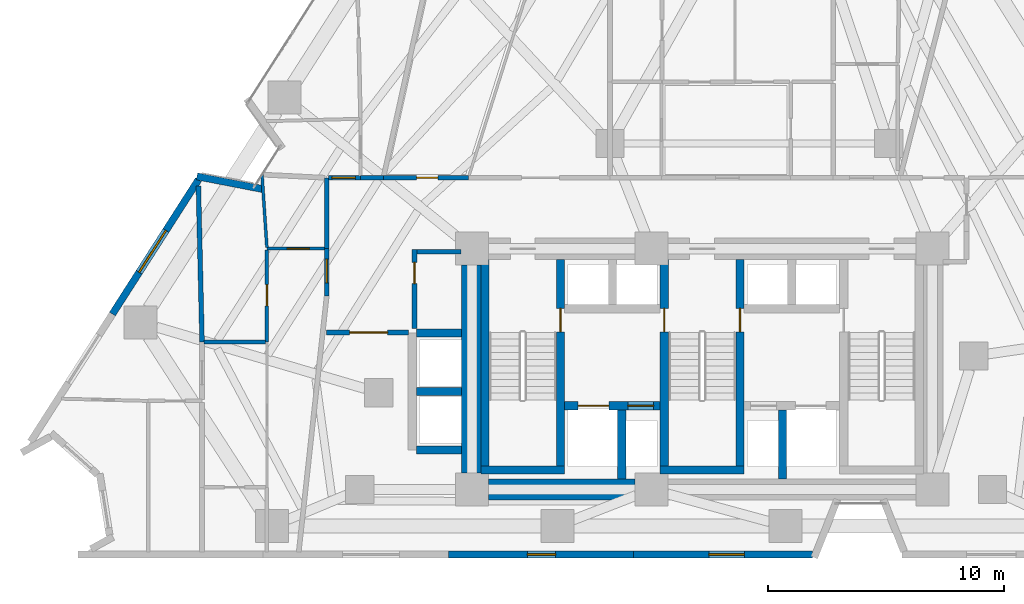
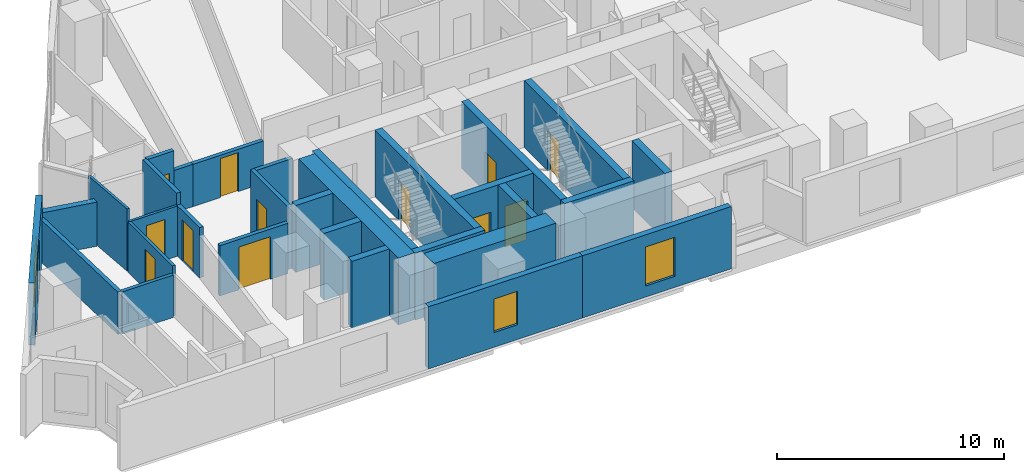
# One storey, part 7 of 14: 31 walls, 12 doors, 3 windows, 15 openings.
"""IFC4 building model written with IfcOpenShell, lengths in metres."""

from ifc_helpers import new_model, si_unit, direction, frame, frame_2d, origin, place, context, subcontext, project, spatial, rectangle, extrude, material, layer, layer_set, type_object, element, fill, save


model = new_model("IFC4")

# Units and contexts
model_context = context("Model", 3, precision=1e-05, world=origin(), true_north=direction((0.0, 1.0)))
body_context = subcontext(model_context, "Body", "Model", "MODEL_VIEW")
ifc_project = project(units=[si_unit("LENGTHUNIT", "METRE"), si_unit("AREAUNIT", "SQUARE_METRE"), si_unit("VOLUMEUNIT", "CUBIC_METRE"), si_unit("PLANEANGLEUNIT", "RADIAN"), si_unit("MASSUNIT", "GRAM", prefix="KILO")], contexts=[model_context])

# Site, building, storey
site_placement = place(None, origin())
site = spatial("IfcSite", under=ifc_project, at=site_placement, CompositionType="ELEMENT")
building_placement = place(site_placement, origin())
building = spatial("IfcBuilding", under=site, at=building_placement, Name="Almagre Mirador Tower", CompositionType="ELEMENT")
storey_placement = place(building_placement, frame((0.0, 0.0, 60.60009765625)))
storey = spatial("IfcBuildingStorey", under=building, at=storey_placement, Name="L14", CompositionType="ELEMENT", Elevation=60.60009765625)

# Wall
ifc_material_1 = material(Name="Precast concrete C50/60", Category="concrete")
ifc_layer_1 = layer(ifc_material_1, 0.300048828125)
ifc_layer_set_1 = layer_set([ifc_layer_1], Name="Precast concrete C50/60")
wall_type_1 = type_object("IfcWallType", Name="WAL-EXT-300", PredefinedType="SOLIDWALL", material=ifc_layer_set_1)
wall_1_placement = place(storey_placement, frame((15.905517578125, 17.8115234375, 0.0), z_axis=(0.0, 0.0, 1.0), x_axis=(0.981749415704, -0.190179086032, 0.0)))
element("IfcWall", 1, at=wall_1_placement, inside=storey, type_object=wall_type_1, Name="L14 expressed almagre precast frame wall 01", PredefinedType="SOLIDWALL", context=body_context, shape_type="SweptSolid", body=[
    extrude(rectangle(XDim=2.801025390625, YDim=0.300048828125, at=frame_2d((1.400390625, 0.0))), origin(), (0.0, 0.0, 1.0), 2.375),
])

# Wall, opening, window
wall_2_placement = place(storey_placement, frame((41.965087890625, 1.800048828125, 0.0), z_axis=(0.0, 0.0, 1.0), x_axis=(-1.0, 0.0, 0.0)))
wall_2 = element("IfcWall", 2, at=wall_2_placement, inside=storey, type_object=wall_type_1, Name="L14 expressed almagre precast frame wall 26", PredefinedType="SOLIDWALL", context=body_context, shape_type="SweptSolid", body=[
    extrude(rectangle(XDim=7.570068359375, YDim=0.300048828125, at=frame_2d((3.78515625, 0.0))), origin(), (0.0, 0.0, 1.0), 3.349853515625),
])
opening_1_placement = place(wall_2_placement, frame((2.875, 0.0, 0.60009765625)))
opening_1 = element("IfcOpeningElement", 3, at=opening_1_placement, cuts=wall_2, Name="Opening WN-03", PredefinedType="OPENING", context=body_context, shape_type="SweptSolid", body=[
    extrude(rectangle(XDim=1.5, YDim=2.10009765625, at=frame_2d((0.75, 1.050048828125))), frame((0.0, 0.159902, 0.0), z_axis=(0.0, -1.0, 0.0), x_axis=(1.0, 0.0, 0.0)), (0.0, 0.0, 1.0), 0.320049),
])
ifc_material_2 = material(Name="Dark solar-control laminated hurricane glass", Category="glass")
window_type_1 = type_object("IfcWindowType", Name="WIN-1500X2100", PartitioningType="DOUBLE_PANEL_VERTICAL", PredefinedType="WINDOW", material=ifc_material_2)
window_1_placement = place(opening_1_placement, origin())
window_1 = element("IfcWindow", 4, at=window_1_placement, inside=storey, type_object=window_type_1, Name="L14 recessed hurricane window L14-RST-B", OverallHeight=2.10009765625, OverallWidth=1.5, PartitioningType="SINGLE_PANEL", PredefinedType="WINDOW", context=body_context, shape_type="SweptSolid", body=[
    extrude(rectangle(XDim=1.5, YDim=2.10009765625, at=frame_2d((0.75, 1.050048828125))), frame((0.0, 0.030029296875, 0.0), z_axis=(0.0, -1.0, 0.0), x_axis=(1.0, 0.0, 0.0)), (0.0, 0.0, 1.0), 0.06005859375),
])
fill(opening_1, window_1)

wall_3_placement = place(storey_placement, frame((34.39501953125, 1.800048828125, 0.0), z_axis=(0.0, 0.0, 1.0), x_axis=(-1.0, 0.0, 0.0)))
wall_3 = element("IfcWall", 5, at=wall_3_placement, inside=storey, type_object=wall_type_1, Name="L14 expressed almagre precast frame wall 27", PredefinedType="SOLIDWALL", context=body_context, shape_type="SweptSolid", body=[
    extrude(rectangle(XDim=7.844970703125, YDim=0.300048828125, at=frame_2d((3.92236328125, 0.0))), origin(), (0.0, 0.0, 1.0), 3.349853515625),
])
opening_2_placement = place(wall_3_placement, frame((3.300048828125, 0.0, 0.800048828125)))
opening_2 = element("IfcOpeningElement", 6, at=opening_2_placement, cuts=wall_3, Name="Opening WN-04", PredefinedType="OPENING", context=body_context, shape_type="SweptSolid", body=[
    extrude(rectangle(XDim=1.199951171875, YDim=1.800048828125, at=frame_2d((0.60009765625, 0.89990234375))), frame((0.0, 0.159902, 0.0), z_axis=(0.0, -1.0, 0.0), x_axis=(1.0, 0.0, 0.0)), (0.0, 0.0, 1.0), 0.320049),
])
ifc_material_3 = material(Name="Dark solar-control laminated hurricane glass", Category="glass")
window_type_2 = type_object("IfcWindowType", Name="WIN-1200X1800", PartitioningType="SINGLE_PANEL", PredefinedType="WINDOW", material=ifc_material_3)
window_2_placement = place(opening_2_placement, origin())
window_2 = element("IfcWindow", 7, at=window_2_placement, inside=storey, type_object=window_type_2, Name="L14 recessed hurricane window L14-RST-B", OverallHeight=1.800048828125, OverallWidth=1.199951171875, PartitioningType="SINGLE_PANEL", PredefinedType="WINDOW", context=body_context, shape_type="SweptSolid", body=[
    extrude(rectangle(XDim=1.199951171875, YDim=1.800048828125, at=frame_2d((0.60009765625, 0.89990234375))), frame((0.0, 0.030029296875, 0.0), z_axis=(0.0, -1.0, 0.0), x_axis=(1.0, 0.0, 0.0)), (0.0, 0.0, 1.0), 0.06005859375),
])
fill(opening_2, window_2)

wall_4_placement = place(storey_placement, frame((12.323974609375, 11.9814453125, 0.0), z_axis=(0.0, 0.0, 1.0), x_axis=(0.539544650361, 0.841956988371, 0.0)))
wall_4 = element("IfcWall", 8, at=wall_4_placement, inside=storey, type_object=wall_type_1, Name="L14 expressed almagre precast frame wall 35", PredefinedType="SOLIDWALL", context=body_context, shape_type="SweptSolid", body=[
    extrude(rectangle(XDim=6.758056640625, YDim=0.300048828125, at=frame_2d((3.37890625, 0.0))), origin(), (0.0, 0.0, 1.0), 3.349853515625),
])
opening_3_placement = place(wall_4_placement, frame((2.10009765625, 0.0, 0.550048828125)))
opening_3 = element("IfcOpeningElement", 9, at=opening_3_placement, cuts=wall_4, Name="Opening WN-05", PredefinedType="OPENING", context=body_context, shape_type="SweptSolid", body=[
    extrude(rectangle(XDim=2.10009765625, YDim=2.39990234375, at=frame_2d((1.050048828125, 1.199951171875))), frame((0.0, 0.159902, 0.0), z_axis=(0.0, -1.0, 0.0), x_axis=(1.0, 0.0, 0.0)), (0.0, 0.0, 1.0), 0.320049),
])
ifc_material_4 = material(Name="Dark solar-control laminated hurricane glass", Category="glass")
window_type_3 = type_object("IfcWindowType", Name="WIN-2100X2400", PartitioningType="DOUBLE_PANEL_VERTICAL", PredefinedType="WINDOW", material=ifc_material_4)
window_3_placement = place(opening_3_placement, origin())
window_3 = element("IfcWindow", 10, at=window_3_placement, inside=storey, type_object=window_type_3, Name="L14 recessed hurricane window L14-UA-ST", OverallHeight=2.39990234375, OverallWidth=2.10009765625, PartitioningType="SINGLE_PANEL", PredefinedType="WINDOW", context=body_context, shape_type="SweptSolid", body=[
    extrude(rectangle(XDim=2.10009765625, YDim=2.39990234375, at=frame_2d((1.050048828125, 1.199951171875))), frame((0.0, 0.030029296875, 0.0), z_axis=(0.0, -1.0, 0.0), x_axis=(1.0, 0.0, 0.0)), (0.0, 0.0, 1.0), 0.06005859375),
])
fill(opening_3, window_3)

# Wall, opening, door
ifc_material_5 = material(Name="Gypsum acoustic stud partition", Category="other")
ifc_layer_2 = layer(ifc_material_5, 0.125)
ifc_layer_set_2 = layer_set([ifc_layer_2], Name="Gypsum acoustic stud partition")
wall_type_2 = type_object("IfcWallType", Name="WAL-PRT-125-UTL", PredefinedType="PARTITIONING", material=ifc_layer_set_2)
wall_5_placement = place(storey_placement, frame((21.31494140625, 14.75, 0.0), z_axis=(0.0, 0.0, 1.0), x_axis=(-1.0, 0.0, 0.0)))
wall_5 = element("IfcWall", 11, at=wall_5_placement, inside=storey, type_object=wall_type_2, Name="L14 interior partition 033", PredefinedType="PARTITIONING", context=body_context, shape_type="SweptSolid", body=[
    extrude(rectangle(XDim=2.44482421875, YDim=0.125, at=frame_2d((1.222412109375, 0.0))), origin(), (0.0, 0.0, 1.0), 2.7119140625),
])
opening_4_placement = place(wall_5_placement, frame((0.64599609375, 0.0, 0.0)))
opening_4 = element("IfcOpeningElement", 12, at=opening_4_placement, cuts=wall_5, Name="Opening UD-01", PredefinedType="OPENING", context=body_context, shape_type="SweptSolid", body=[
    extrude(rectangle(XDim=0.949951171875, YDim=2.199951171875, at=frame_2d((0.47509765625, 1.10009765625))), frame((0.0, 0.0725, 0.0), z_axis=(0.0, -1.0, 0.0), x_axis=(1.0, 0.0, 0.0)), (0.0, 0.0, 1.0), 0.145),
])
ifc_material_6 = material(Name="Solid American walnut timber", Category="wood")
door_type_1 = type_object("IfcDoorType", Name="DOR-UNR-950X2200", OperationType="NOTDEFINED", PredefinedType="DOOR", material=ifc_material_6)
door_1_placement = place(opening_4_placement, origin())
door_1 = element("IfcDoor", 13, at=door_1_placement, inside=storey, type_object=door_type_1, Name="DR-0465 L14 interior door L14-UD-LV to L14-UD-KT", OperationType="SINGLE_SWING_RIGHT", OverallHeight=2.199951171875, OverallWidth=0.949951171875, PredefinedType="DOOR", context=body_context, shape_type="SweptSolid", body=[
    extrude(rectangle(XDim=0.949951171875, YDim=2.199951171875, at=frame_2d((0.47509765625, 1.10009765625))), frame((0.0, 0.02490234375, 0.0), z_axis=(0.0, -1.0, 0.0), x_axis=(1.0, 0.0, 0.0)), (0.0, 0.0, 1.0), 0.050048828125),
])
fill(opening_4, door_1)

# Wall
wall_6_placement = place(storey_placement, frame((18.659912109375, 17.885009765625, 0.0), z_axis=(0.0, 0.0, 1.0), x_axis=(0.066822712134, -0.997764864656, 0.0)))
element("IfcWall", 14, at=wall_6_placement, inside=storey, type_object=wall_type_2, Name="L14 interior partition 037", PredefinedType="PARTITIONING", context=body_context, shape_type="SweptSolid", body=[
    extrude(rectangle(XDim=3.094482421875, YDim=0.125, at=frame_2d((1.54736328125, 0.0))), origin(), (0.0, 0.0, 1.0), 3.349853515625),
])

# Wall, opening, door
ifc_material_7 = material(Name="Gypsum acoustic stud partition", Category="other")
ifc_layer_3 = layer(ifc_material_7, 0.14990234375)
ifc_layer_set_3 = layer_set([ifc_layer_3], Name="Gypsum acoustic stud partition")
wall_type_3 = type_object("IfcWallType", Name="WAL-PRT-150-STD", PredefinedType="PARTITIONING", material=ifc_layer_set_3)
wall_7_placement = place(storey_placement, frame((18.8701171875, 14.702392578125, 0.0), z_axis=(0.0, 0.0, 1.0), x_axis=(0.0, -1.0, 0.0)))
wall_7 = element("IfcWall", 15, at=wall_7_placement, inside=storey, type_object=wall_type_3, Name="L14 interior partition 034", PredefinedType="PARTITIONING", context=body_context, shape_type="SweptSolid", body=[
    extrude(rectangle(XDim=3.90234375, YDim=0.14990234375, at=frame_2d((1.951171875, 0.0))), origin(), (0.0, 0.0, 1.0), 2.7119140625),
])
opening_5_placement = place(wall_7_placement, frame((1.4775390625, 0.0, 0.0)))
opening_5 = element("IfcOpeningElement", 16, at=opening_5_placement, cuts=wall_7, Name="Opening UD-02", PredefinedType="OPENING", context=body_context, shape_type="SweptSolid", body=[
    extrude(rectangle(XDim=0.89990234375, YDim=2.14990234375, at=frame_2d((0.449951171875, 1.074951171875))), frame((0.0, 0.084951, 0.0), z_axis=(0.0, -1.0, 0.0), x_axis=(1.0, 0.0, 0.0)), (0.0, 0.0, 1.0), 0.169902),
])
ifc_material_8 = material(Name="Solid American walnut timber", Category="wood")
door_type_2 = type_object("IfcDoorType", Name="DOR-UNR-900X2150", OperationType="NOTDEFINED", PredefinedType="DOOR", material=ifc_material_8)
door_2_placement = place(opening_5_placement, origin())
door_2 = element("IfcDoor", 17, at=door_2_placement, inside=storey, type_object=door_type_2, Name="DR-0466 L14 interior door L14-UD-LV to L14-UD-MB", OperationType="SINGLE_SWING_LEFT", OverallHeight=2.14990234375, OverallWidth=0.89990234375, PredefinedType="DOOR", context=body_context, shape_type="SweptSolid", body=[
    extrude(rectangle(XDim=0.89990234375, YDim=2.14990234375, at=frame_2d((0.449951171875, 1.074951171875))), frame((0.0, 0.02490234375, 0.0), z_axis=(0.0, -1.0, 0.0), x_axis=(1.0, 0.0, 0.0)), (0.0, 0.0, 1.0), 0.050048828125),
])
fill(opening_5, door_2)

# Wall
ifc_material_9 = material(Name="Gypsum acoustic stud partition", Category="other")
ifc_layer_4 = layer(ifc_material_9, 0.175048828125)
ifc_layer_set_4 = layer_set([ifc_layer_4], Name="Gypsum acoustic stud partition")
wall_type_4 = type_object("IfcWallType", Name="WAL-PRT-175-AC", PredefinedType="PARTITIONING", material=ifc_layer_set_4)
wall_8_placement = place(storey_placement, frame((16.205078125, 10.800048828125, 0.0), z_axis=(0.0, 0.0, 1.0), x_axis=(1.0, 0.0, 0.0)))
element("IfcWall", 18, at=wall_8_placement, inside=storey, type_object=wall_type_4, Name="L14 interior partition 039", PredefinedType="PARTITIONING", context=body_context, shape_type="SweptSolid", body=[
    extrude(rectangle(XDim=2.60498046875, YDim=0.175048828125, at=frame_2d((1.302490234375, 0.0))), origin(), (0.0, 0.0, 1.0), 2.27880859375),
])

# Wall, opening, door
ifc_material_10 = material(Name="Gypsum acoustic stud partition", Category="other")
ifc_layer_5 = layer(ifc_material_10, 0.199951171875)
ifc_layer_set_5 = layer_set([ifc_layer_5], Name="Gypsum acoustic stud partition")
wall_type_5 = type_object("IfcWallType", Name="WAL-PRT-200-EI60", PredefinedType="PARTITIONING", material=ifc_layer_set_5)
wall_9_placement = place(storey_placement, frame((25.1201171875, 11.3701171875, 0.0), z_axis=(0.0, 0.0, 1.0), x_axis=(0.0, 1.0, 0.0)))
wall_9 = element("IfcWall", 19, at=wall_9_placement, inside=storey, type_object=wall_type_5, Name="L14 core ancillary west wall", PredefinedType="PARTITIONING", context=body_context, shape_type="SweptSolid", body=[
    extrude(rectangle(XDim=3.33984375, YDim=0.199951171875, at=frame_2d((1.669921875, 0.0))), origin(), (0.0, 0.0, 1.0), 3.349853515625),
])
opening_6_placement = place(wall_9_placement, frame((1.89990234375, 0.0, 0.0)))
opening_6 = element("IfcOpeningElement", 20, at=opening_6_placement, cuts=wall_9, Name="Opening ID-03", PredefinedType="OPENING", context=body_context, shape_type="SweptSolid", body=[
    extrude(rectangle(XDim=0.89990234375, YDim=2.10009765625, at=frame_2d((0.449951171875, 1.050048828125))), frame((0.0, 0.110098, 0.0), z_axis=(0.0, -1.0, 0.0), x_axis=(1.0, 0.0, 0.0)), (0.0, 0.0, 1.0), 0.219951),
])
ifc_material_11 = material(Name="Fire-rated hollow steel", Category="steel")
door_type_3 = type_object("IfcDoorType", Name="DOR-FD60-900X2100", OperationType="NOTDEFINED", PredefinedType="DOOR", material=ifc_material_11)
door_3_placement = place(opening_6_placement, origin())
door_3 = element("IfcDoor", 21, at=door_3_placement, inside=storey, type_object=door_type_3, Name="DR-0452 L14 core ancillary corridor door", OperationType="SINGLE_SWING_RIGHT", OverallHeight=2.10009765625, OverallWidth=0.89990234375, PredefinedType="DOOR", context=body_context, shape_type="SweptSolid", body=[
    extrude(rectangle(XDim=0.89990234375, YDim=2.10009765625, at=frame_2d((0.449951171875, 1.050048828125))), frame((0.0, 0.02490234375, 0.0), z_axis=(0.0, -1.0, 0.0), x_axis=(1.0, 0.0, 0.0)), (0.0, 0.0, 1.0), 0.050048828125),
])
fill(opening_6, door_3)

# Wall
wall_10_placement = place(storey_placement, frame((25.22509765625, 14.6201171875, 0.0), z_axis=(0.0, 0.0, 1.0), x_axis=(1.0, 0.0, 0.0)))
element("IfcWall", 22, at=wall_10_placement, inside=storey, type_object=wall_type_5, Name="L14 core ancillary north wall", PredefinedType="PARTITIONING", context=body_context, shape_type="SweptSolid", body=[
    extrude(rectangle(XDim=1.85986328125, YDim=0.199951171875, at=frame_2d((0.929931640625, 0.0))), origin(), (0.0, 0.0, 1.0), 3.349853515625),
])

# Wall, opening, door
wall_11_placement = place(storey_placement, frame((21.39990234375, 11.199951171875, 0.0), z_axis=(0.0, 0.0, 1.0), x_axis=(1.0, 0.0, 0.0)))
wall_11 = element("IfcWall", 23, at=wall_11_placement, inside=storey, type_object=wall_type_5, Name="L14 interior partition 002", PredefinedType="PARTITIONING", context=body_context, shape_type="SweptSolid", body=[
    extrude(rectangle(XDim=3.46923828125, YDim=0.199951171875, at=frame_2d((1.734619140625, 0.0))), origin(), (0.0, 0.0, 1.0), 2.7119140625),
])
opening_7_placement = place(wall_11_placement, frame((0.97509765625, 0.0, 0.0)))
opening_7 = element("IfcOpeningElement", 24, at=opening_7_placement, cuts=wall_11, Name="Opening ID-05", PredefinedType="OPENING", context=body_context, shape_type="SweptSolid", body=[
    extrude(rectangle(XDim=1.60009765625, YDim=2.300048828125, at=frame_2d((0.800048828125, 1.14990234375))), frame((0.0, 0.110098, 0.0), z_axis=(0.0, -1.0, 0.0), x_axis=(1.0, 0.0, 0.0)), (0.0, 0.0, 1.0), 0.219951),
])
ifc_material_12 = material(Name="Fire-rated acoustic timber", Category="wood")
door_type_4 = type_object("IfcDoorType", Name="DOR-FD60-1600X2300", OperationType="DOUBLE_DOOR_SINGLE_SWING", PredefinedType="DOOR", material=ifc_material_12)
door_4_placement = place(opening_7_placement, origin())
door_4 = element("IfcDoor", 25, at=door_4_placement, inside=storey, type_object=door_type_4, Name="DR-0457 L14 interior door L14-RCOR to L14-RST-B", OperationType="DOUBLE_DOOR_SINGLE_SWING", OverallHeight=2.300048828125, OverallWidth=1.60009765625, PredefinedType="DOOR", context=body_context, shape_type="SweptSolid", body=[
    extrude(rectangle(XDim=1.60009765625, YDim=2.300048828125, at=frame_2d((0.800048828125, 1.14990234375))), frame((0.0, 0.02490234375, 0.0), z_axis=(0.0, -1.0, 0.0), x_axis=(1.0, 0.0, 0.0)), (0.0, 0.0, 1.0), 0.050048828125),
])
fill(opening_7, door_4)

wall_12_placement = place(storey_placement, frame((21.39990234375, 14.75, 0.0), z_axis=(0.0, 0.0, 1.0), x_axis=(0.0, -1.0, 0.0)))
wall_12 = element("IfcWall", 26, at=wall_12_placement, inside=storey, type_object=wall_type_5, Name="L14 interior partition 005", PredefinedType="PARTITIONING", context=body_context, shape_type="SweptSolid", body=[
    extrude(rectangle(XDim=2.0, YDim=0.199951171875, at=frame_2d((1.0, 0.0))), origin(), (0.0, 0.0, 1.0), 2.7119140625),
])
opening_8_placement = place(wall_12_placement, frame((0.448486328125, 0.0, 0.0)))
opening_8 = element("IfcOpeningElement", 27, at=opening_8_placement, cuts=wall_12, Name="Opening ID-01", PredefinedType="OPENING", context=body_context, shape_type="SweptSolid", body=[
    extrude(rectangle(XDim=1.0, YDim=2.199951171875, at=frame_2d((0.5, 1.10009765625))), frame((0.0, 0.110098, 0.0), z_axis=(0.0, -1.0, 0.0), x_axis=(1.0, 0.0, 0.0)), (0.0, 0.0, 1.0), 0.219951),
])
ifc_material_13 = material(Name="Fire-rated walnut timber", Category="wood")
door_type_5 = type_object("IfcDoorType", Name="DOR-FD60-1000X2200", OperationType="NOTDEFINED", PredefinedType="DOOR", material=ifc_material_13)
door_5_placement = place(opening_8_placement, origin())
door_5 = element("IfcDoor", 28, at=door_5_placement, inside=storey, type_object=door_type_5, Name="DR-0464 L14 interior door L14-RCOR to L14-UD-LV", OperationType="SINGLE_SWING_LEFT", OverallHeight=2.199951171875, OverallWidth=1.0, PredefinedType="DOOR", context=body_context, shape_type="SweptSolid", body=[
    extrude(rectangle(XDim=1.0, YDim=2.199951171875, at=frame_2d((0.5, 1.10009765625))), frame((0.0, 0.02490234375, 0.0), z_axis=(0.0, -1.0, 0.0), x_axis=(1.0, 0.0, 0.0)), (0.0, 0.0, 1.0), 0.050048828125),
])
fill(opening_8, door_5)

# Walls
wall_13_placement = place(storey_placement, frame((21.39990234375, 17.75, 0.0), z_axis=(0.0, 0.0, 1.0), x_axis=(0.0, -1.0, 0.0)))
element("IfcWall", 29, at=wall_13_placement, inside=storey, type_object=wall_type_5, Name="L14 interior partition 006", PredefinedType="PARTITIONING", context=body_context, shape_type="SweptSolid", body=[
    extrude(rectangle(XDim=3.0, YDim=0.199951171875, at=frame_2d((1.5, 0.0))), origin(), (0.0, 0.0, 1.0), 3.349853515625),
])
wall_14_placement = place(storey_placement, frame((23.800048828125, 17.75, 0.0), z_axis=(0.0, 0.0, 1.0), x_axis=(-1.0, 0.0, 0.0)))
element("IfcWall", 30, at=wall_14_placement, inside=storey, type_object=wall_type_5, Name="L14 interior partition 008", PredefinedType="PARTITIONING", context=body_context, shape_type="SweptSolid", body=[
    extrude(rectangle(XDim=0.969970703125, YDim=0.199951171875, at=frame_2d((0.48486328125, 0.0))), origin(), (0.0, 0.0, 1.0), 2.27880859375),
])

# Wall, opening, door
wall_15_placement = place(storey_placement, frame((22.830078125, 17.75, 0.0), z_axis=(0.0, 0.0, 1.0), x_axis=(-1.0, 0.0, 0.0)))
wall_15 = element("IfcWall", 31, at=wall_15_placement, inside=storey, type_object=wall_type_5, Name="L14 interior partition 009", PredefinedType="PARTITIONING", context=body_context, shape_type="SweptSolid", body=[
    extrude(rectangle(XDim=1.344970703125, YDim=0.199951171875, at=frame_2d((0.67236328125, 0.0))), origin(), (0.0, 0.0, 1.0), 3.349853515625),
])
opening_9_placement = place(wall_15_placement, frame((0.215087890625, 0.0, 0.0)))
opening_9 = element("IfcOpeningElement", 32, at=opening_9_placement, cuts=wall_15, Name="Opening ID-01", PredefinedType="OPENING", context=body_context, shape_type="SweptSolid", body=[
    extrude(rectangle(XDim=1.0, YDim=2.199951171875, at=frame_2d((0.5, 1.10009765625))), frame((0.0, 0.110098, 0.0), z_axis=(0.0, -1.0, 0.0), x_axis=(1.0, 0.0, 0.0)), (0.0, 0.0, 1.0), 0.219951),
])
door_6_placement = place(opening_9_placement, origin())
door_6 = element("IfcDoor", 33, at=door_6_placement, inside=storey, type_object=door_type_5, Name="DR-0468 L14 interior door L14-RCOR to L14-UF-KT", OperationType="SINGLE_SWING_LEFT", OverallHeight=2.199951171875, OverallWidth=1.0, PredefinedType="DOOR", context=body_context, shape_type="SweptSolid", body=[
    extrude(rectangle(XDim=1.0, YDim=2.199951171875, at=frame_2d((0.5, 1.10009765625))), frame((0.0, 0.02490234375, 0.0), z_axis=(0.0, -1.0, 0.0), x_axis=(1.0, 0.0, 0.0)), (0.0, 0.0, 1.0), 0.050048828125),
])
fill(opening_9, door_6)

wall_16_placement = place(storey_placement, frame((27.39990234375, 17.75, 0.0), z_axis=(0.0, 0.0, 1.0), x_axis=(-1.0, 0.0, 0.0)))
wall_16 = element("IfcWall", 34, at=wall_16_placement, inside=storey, type_object=wall_type_5, Name="L14 interior partition 010", PredefinedType="PARTITIONING", context=body_context, shape_type="SweptSolid", body=[
    extrude(rectangle(XDim=3.599853515625, YDim=0.199951171875, at=frame_2d((1.7998046875, 0.0))), origin(), (0.0, 0.0, 1.0), 2.27880859375),
])
opening_10_placement = place(wall_16_placement, frame((1.29248046875, 0.0, 0.0)))
opening_10 = element("IfcOpeningElement", 35, at=opening_10_placement, cuts=wall_16, Name="Opening ID-03", PredefinedType="OPENING", context=body_context, shape_type="SweptSolid", body=[
    extrude(rectangle(XDim=0.89990234375, YDim=2.10009765625, at=frame_2d((0.449951171875, 1.050048828125))), frame((0.0, 0.110098, 0.0), z_axis=(0.0, -1.0, 0.0), x_axis=(1.0, 0.0, 0.0)), (0.0, 0.0, 1.0), 0.219951),
])
door_7_placement = place(opening_10_placement, origin())
door_7 = element("IfcDoor", 36, at=door_7_placement, inside=storey, type_object=door_type_3, Name="DR-0459 L14 interior door L14-RCOR to L14-RST-G", OperationType="SINGLE_SWING_LEFT", OverallHeight=2.10009765625, OverallWidth=0.89990234375, PredefinedType="DOOR", context=body_context, shape_type="SweptSolid", body=[
    extrude(rectangle(XDim=0.89990234375, YDim=2.10009765625, at=frame_2d((0.449951171875, 1.050048828125))), frame((0.0, 0.02490234375, 0.0), z_axis=(0.0, -1.0, 0.0), x_axis=(1.0, 0.0, 0.0)), (0.0, 0.0, 1.0), 0.050048828125),
])
fill(opening_10, door_7)

# Walls
wall_17_placement = place(storey_placement, frame((16.1201171875, 10.800048828125, 0.0), z_axis=(0.0, 0.0, 1.0), x_axis=(-0.023345842867, 0.999727448668, 0.0)))
element("IfcWall", 37, at=wall_17_placement, inside=storey, type_object=wall_type_5, Name="L14 interior partition 019", PredefinedType="PARTITIONING", context=body_context, shape_type="SweptSolid", body=[
    extrude(rectangle(XDim=6.5986328125, YDim=0.199951171875, at=frame_2d((3.29931640625, 0.0))), origin(), (0.0, 0.0, 1.0), 2.27880859375),
])
ifc_material_14 = material(Name="Concrete C60/75", Category="concrete")
ifc_layer_6 = layer(ifc_material_14, 0.35009765625)
ifc_layer_set_6 = layer_set([ifc_layer_6], Name="Concrete C60/75")
wall_type_6 = type_object("IfcWallType", Name="WAL-SHF-350", PredefinedType="SOLIDWALL", material=ifc_layer_set_6)
wall_18_placement = place(storey_placement, frame((28.10009765625, 5.199951171875, 0.0), z_axis=(0.0, 0.0, 1.0), x_axis=(0.0, 1.0, 0.0)))
element("IfcWall", 38, at=wall_18_placement, inside=storey, type_object=wall_type_6, Name="L14 shaft wall ST1-W", PredefinedType="SOLIDWALL", context=body_context, shape_type="SweptSolid", body=[
    extrude(rectangle(XDim=9.10009765625, YDim=0.35009765625, at=frame_2d((4.550048828125, 0.0))), origin(), (0.0, 0.0, 1.0), 3.599853515625),
])

# Wall, opening, door
wall_19_placement = place(storey_placement, frame((31.300048828125, 5.199951171875, 0.0), z_axis=(0.0, 0.0, 1.0), x_axis=(0.0, 1.0, 0.0)))
wall_19 = element("IfcWall", 39, at=wall_19_placement, inside=storey, type_object=wall_type_6, Name="L14 shaft wall ST1-E", PredefinedType="SOLIDWALL", context=body_context, shape_type="SweptSolid", body=[
    extrude(rectangle(XDim=9.10009765625, YDim=0.35009765625, at=frame_2d((4.550048828125, 0.0))), origin(), (0.0, 0.0, 1.0), 3.599853515625),
])
opening_11_placement = place(wall_19_placement, frame((6.02001953125, 0.0, 0.0)))
opening_11 = element("IfcOpeningElement", 40, at=opening_11_placement, cuts=wall_19, Name="Opening FD-01", PredefinedType="OPENING", context=body_context, shape_type="SweptSolid", body=[
    extrude(rectangle(XDim=1.0, YDim=2.14990234375, at=frame_2d((0.5, 1.074951171875))), frame((0.0, 0.185049, 0.0), z_axis=(0.0, -1.0, 0.0), x_axis=(1.0, 0.0, 0.0)), (0.0, 0.0, 1.0), 0.370098),
])
ifc_material_15 = material(Name="Fire-rated hollow steel", Category="steel")
door_type_6 = type_object("IfcDoorType", Name="DOR-FFL-1000X2150", OperationType="NOTDEFINED", PredefinedType="DOOR", material=ifc_material_15)
door_8_placement = place(opening_11_placement, origin())
door_8 = element("IfcDoor", 41, at=door_8_placement, inside=storey, type_object=door_type_6, Name="DR-0453 L14 FFL1-ST1 smokeproof door", OperationType="SINGLE_SWING_RIGHT", OverallHeight=2.14990234375, OverallWidth=1.0, PredefinedType="DOOR", context=body_context, shape_type="SweptSolid", body=[
    extrude(rectangle(XDim=1.0, YDim=2.14990234375, at=frame_2d((0.5, 1.074951171875))), frame((0.0, 0.02490234375, 0.0), z_axis=(0.0, -1.0, 0.0), x_axis=(1.0, 0.0, 0.0)), (0.0, 0.0, 1.0), 0.050048828125),
])
fill(opening_11, door_8)

# Wall
wall_20_placement = place(storey_placement, frame((27.925048828125, 5.375, 0.0), z_axis=(0.0, 0.0, 1.0), x_axis=(1.0, 0.0, 0.0)))
element("IfcWall", 42, at=wall_20_placement, inside=storey, type_object=wall_type_6, Name="L14 shaft wall ST1-S", PredefinedType="SOLIDWALL", context=body_context, shape_type="SweptSolid", body=[
    extrude(rectangle(XDim=3.550048828125, YDim=0.35009765625, at=frame_2d((1.77490234375, 0.0))), origin(), (0.0, 0.0, 1.0), 3.599853515625),
])

# Wall, opening, door
wall_21_placement = place(storey_placement, frame((35.699951171875, 5.199951171875, 0.0), z_axis=(0.0, 0.0, 1.0), x_axis=(0.0, 1.0, 0.0)))
wall_21 = element("IfcWall", 43, at=wall_21_placement, inside=storey, type_object=wall_type_6, Name="L14 shaft wall ST2-W", PredefinedType="SOLIDWALL", context=body_context, shape_type="SweptSolid", body=[
    extrude(rectangle(XDim=9.10009765625, YDim=0.35009765625, at=frame_2d((4.550048828125, 0.0))), origin(), (0.0, 0.0, 1.0), 3.599853515625),
])
opening_12_placement = place(wall_21_placement, frame((6.02001953125, 0.0, 0.0)))
opening_12 = element("IfcOpeningElement", 44, at=opening_12_placement, cuts=wall_21, Name="Opening FD-01", PredefinedType="OPENING", context=body_context, shape_type="SweptSolid", body=[
    extrude(rectangle(XDim=1.0, YDim=2.14990234375, at=frame_2d((0.5, 1.074951171875))), frame((0.0, 0.185049, 0.0), z_axis=(0.0, -1.0, 0.0), x_axis=(1.0, 0.0, 0.0)), (0.0, 0.0, 1.0), 0.370098),
])
door_9_placement = place(opening_12_placement, origin())
door_9 = element("IfcDoor", 45, at=door_9_placement, inside=storey, type_object=door_type_6, Name="DR-0454 L14 FFL1-ST2 smokeproof door", OperationType="SINGLE_SWING_LEFT", OverallHeight=2.14990234375, OverallWidth=1.0, PredefinedType="DOOR", context=body_context, shape_type="SweptSolid", body=[
    extrude(rectangle(XDim=1.0, YDim=2.14990234375, at=frame_2d((0.5, 1.074951171875))), frame((0.0, 0.02490234375, 0.0), z_axis=(0.0, -1.0, 0.0), x_axis=(1.0, 0.0, 0.0)), (0.0, 0.0, 1.0), 0.050048828125),
])
fill(opening_12, door_9)

wall_22_placement = place(storey_placement, frame((38.89990234375, 5.199951171875, 0.0), z_axis=(0.0, 0.0, 1.0), x_axis=(0.0, 1.0, 0.0)))
wall_22 = element("IfcWall", 46, at=wall_22_placement, inside=storey, type_object=wall_type_6, Name="L14 shaft wall ST2-E", PredefinedType="SOLIDWALL", context=body_context, shape_type="SweptSolid", body=[
    extrude(rectangle(XDim=9.10009765625, YDim=0.35009765625, at=frame_2d((4.550048828125, 0.0))), origin(), (0.0, 0.0, 1.0), 3.599853515625),
])
opening_13_placement = place(wall_22_placement, frame((6.02001953125, 0.0, 0.0)))
opening_13 = element("IfcOpeningElement", 47, at=opening_13_placement, cuts=wall_22, Name="Opening FD-01", PredefinedType="OPENING", context=body_context, shape_type="SweptSolid", body=[
    extrude(rectangle(XDim=1.0, YDim=2.14990234375, at=frame_2d((0.5, 1.074951171875))), frame((0.0, 0.185049, 0.0), z_axis=(0.0, -1.0, 0.0), x_axis=(1.0, 0.0, 0.0)), (0.0, 0.0, 1.0), 0.370098),
])
door_10_placement = place(opening_13_placement, origin())
door_10 = element("IfcDoor", 48, at=door_10_placement, inside=storey, type_object=door_type_6, Name="DR-0455 L14 FFL2-ST2 smokeproof door", OperationType="SINGLE_SWING_RIGHT", OverallHeight=2.14990234375, OverallWidth=1.0, PredefinedType="DOOR", context=body_context, shape_type="SweptSolid", body=[
    extrude(rectangle(XDim=1.0, YDim=2.14990234375, at=frame_2d((0.5, 1.074951171875))), frame((0.0, 0.02490234375, 0.0), z_axis=(0.0, -1.0, 0.0), x_axis=(1.0, 0.0, 0.0)), (0.0, 0.0, 1.0), 0.050048828125),
])
fill(opening_13, door_10)

# Wall
wall_23_placement = place(storey_placement, frame((35.52490234375, 5.375, 0.0), z_axis=(0.0, 0.0, 1.0), x_axis=(1.0, 0.0, 0.0)))
element("IfcWall", 49, at=wall_23_placement, inside=storey, type_object=wall_type_6, Name="L14 shaft wall ST2-S", PredefinedType="SOLIDWALL", context=body_context, shape_type="SweptSolid", body=[
    extrude(rectangle(XDim=3.550048828125, YDim=0.35009765625, at=frame_2d((1.77490234375, 0.0))), origin(), (0.0, 0.0, 1.0), 3.599853515625),
])

# Wall, openings, doors
wall_24_placement = place(storey_placement, frame((31.47509765625, 8.10009765625, 0.0), z_axis=(0.0, 0.0, 1.0), x_axis=(1.0, 0.0, 0.0)))
wall_24 = element("IfcWall", 50, at=wall_24_placement, inside=storey, type_object=wall_type_6, Name="L14 shaft wall FSAE1-N", PredefinedType="SOLIDWALL", context=body_context, shape_type="SweptSolid", body=[
    extrude(rectangle(XDim=4.0498046875, YDim=0.35009765625, at=frame_2d((2.02490234375, 0.0))), origin(), (0.0, 0.0, 1.0), 3.599853515625),
])
opening_14_placement = place(wall_24_placement, frame((0.574951171875, 0.0, 0.0)))
opening_14 = element("IfcOpeningElement", 51, at=opening_14_placement, cuts=wall_24, Name="Opening LD-03", PredefinedType="OPENING", context=body_context, shape_type="SweptSolid", body=[
    extrude(rectangle(XDim=1.300048828125, YDim=2.25, at=frame_2d((0.64990234375, 1.125))), frame((0.0, 0.185049, 0.0), z_axis=(0.0, -1.0, 0.0), x_axis=(1.0, 0.0, 0.0)), (0.0, 0.0, 1.0), 0.370098),
])
opening_15_placement = place(wall_24_placement, frame((2.675048828125, 0.0, 0.0)))
opening_15 = element("IfcOpeningElement", 52, at=opening_15_placement, cuts=wall_24, Name="Opening LD-01", PredefinedType="OPENING", context=body_context, shape_type="SweptSolid", body=[
    extrude(rectangle(XDim=1.10009765625, YDim=2.199951171875, at=frame_2d((0.550048828125, 1.10009765625))), frame((0.0, 0.185049, 0.0), z_axis=(0.0, -1.0, 0.0), x_axis=(1.0, 0.0, 0.0)), (0.0, 0.0, 1.0), 0.370098),
])
ifc_material_16 = material(Name="Hollow stainless steel", Category="steel")
door_type_7 = type_object("IfcDoorType", Name="DOR-LD-1100X2200", OperationType="DOUBLE_DOOR_SLIDING", PredefinedType="DOOR", material=ifc_material_16)
door_11_placement = place(opening_15_placement, origin())
door_11 = element("IfcDoor", 53, at=door_11_placement, inside=storey, type_object=door_type_7, Name="DR-0488 L14 PL-L1 lift landing door", OperationType="DOUBLE_DOOR_SLIDING", OverallHeight=2.199951171875, OverallWidth=1.10009765625, PredefinedType="DOOR", context=body_context, shape_type="SweptSolid", body=[
    extrude(rectangle(XDim=1.10009765625, YDim=2.199951171875, at=frame_2d((0.550048828125, 1.10009765625))), frame((0.0, 0.02490234375, 0.0), z_axis=(0.0, -1.0, 0.0), x_axis=(1.0, 0.0, 0.0)), (0.0, 0.0, 1.0), 0.050048828125),
])
fill(opening_15, door_11)
ifc_material_17 = material(Name="Hollow stainless steel", Category="steel")
door_type_8 = type_object("IfcDoorType", Name="DOR-LD-1300X2250", OperationType="DOUBLE_DOOR_SLIDING", PredefinedType="DOOR", material=ifc_material_17)
door_12_placement = place(opening_14_placement, origin())
door_12 = element("IfcDoor", 54, at=door_12_placement, inside=storey, type_object=door_type_8, Name="DR-0486 L14 FSAE-1 lift landing door", OperationType="DOUBLE_DOOR_SLIDING", OverallHeight=2.25, OverallWidth=1.300048828125, PredefinedType="DOOR", context=body_context, shape_type="SweptSolid", body=[
    extrude(rectangle(XDim=1.300048828125, YDim=2.25, at=frame_2d((0.64990234375, 1.125))), frame((0.0, 0.02490234375, 0.0), z_axis=(0.0, -1.0, 0.0), x_axis=(1.0, 0.0, 0.0)), (0.0, 0.0, 1.0), 0.050048828125),
])
fill(opening_14, door_12)

# Walls
for number, where, z_axis, x_axis, name in (
    (55, (33.89990234375, 5.0, 0.0), (0.0, 0.0, 1.0), (0.0, 1.0, 0.0), "L14 shaft wall FSAE1-E"),
    (56, (40.699951171875, 5.0, 0.0), (0.0, 0.0, 1.0), (0.0, 1.0, 0.0), "L14 shaft wall FSAE2-W"),
):
    element("IfcWall", number, at=place(storey_placement, frame(where, z_axis=z_axis, x_axis=x_axis)), inside=storey, type_object=wall_type_6, Name=name, PredefinedType="SOLIDWALL", context=body_context, shape_type="SweptSolid", body=[
        extrude(rectangle(XDim=2.925048828125, YDim=0.35009765625, at=frame_2d((1.46240234375, 0.0))), origin(), (0.0, 0.0, 1.0), 3.599853515625),
    ])
for number, where, z_axis, x_axis, name in (
    (57, (25.199951171875, 6.22509765625, 0.0), (0.0, 0.0, 1.0), (1.0, 0.0, 0.0), "L14 shaft wall OL-S"),
    (58, (25.199951171875, 8.699951171875, 0.0), (0.0, 0.0, 1.0), (1.0, 0.0, 0.0), "L14 shaft wall OL-M"),
    (59, (25.199951171875, 11.175048828125, 0.0), (0.0, 0.0, 1.0), (1.0, 0.0, 0.0), "L14 shaft wall OL-N"),
):
    element("IfcWall", number, at=place(storey_placement, frame(where, z_axis=z_axis, x_axis=x_axis)), inside=storey, type_object=wall_type_6, Name=name, PredefinedType="SOLIDWALL", context=body_context, shape_type="SweptSolid", body=[
        extrude(rectangle(XDim=1.900146484375, YDim=0.35009765625, at=frame_2d((0.9501953125, 0.0))), origin(), (0.0, 0.0, 1.0), 3.599853515625),
    ])
ifc_material_18 = material(Name="Concrete C70/85", Category="concrete")
ifc_layer_7 = layer(ifc_material_18, 0.89990234375)
ifc_layer_set_7 = layer_set([ifc_layer_7], Name="Concrete C70/85")
wall_type_7 = type_object("IfcWallType", Name="WAL-SHR-900", PredefinedType="SHEAR", material=ifc_layer_set_7)
wall_25_placement = place(storey_placement, frame((28.25, 4.550048828125, 0.0), z_axis=(0.0, 0.0, 1.0), x_axis=(1.0, 0.0, 0.0)))
element("IfcWall", 60, at=wall_25_placement, inside=storey, type_object=wall_type_7, Name="L14 core shear wall S1", PredefinedType="SHEAR", context=body_context, shape_type="SweptSolid", body=[
    extrude(rectangle(XDim=6.199951171875, YDim=0.89990234375, at=frame_2d((3.10009765625, 0.0))), origin(), (0.0, 0.0, 1.0), 3.599853515625),
])
wall_26_placement = place(storey_placement, frame((27.550048828125, 5.25, 0.0), z_axis=(0.0, 0.0, 1.0), x_axis=(0.0, 1.0, 0.0)))
element("IfcWall", 61, at=wall_26_placement, inside=storey, type_object=wall_type_7, Name="L14 core shear wall W1", PredefinedType="SHEAR", context=body_context, shape_type="SweptSolid", body=[
    extrude(rectangle(XDim=8.800048828125, YDim=0.89990234375, at=frame_2d((4.39990234375, 0.0))), origin(), (0.0, 0.0, 1.0), 3.599853515625),
])

save(model, "model.ifc")
